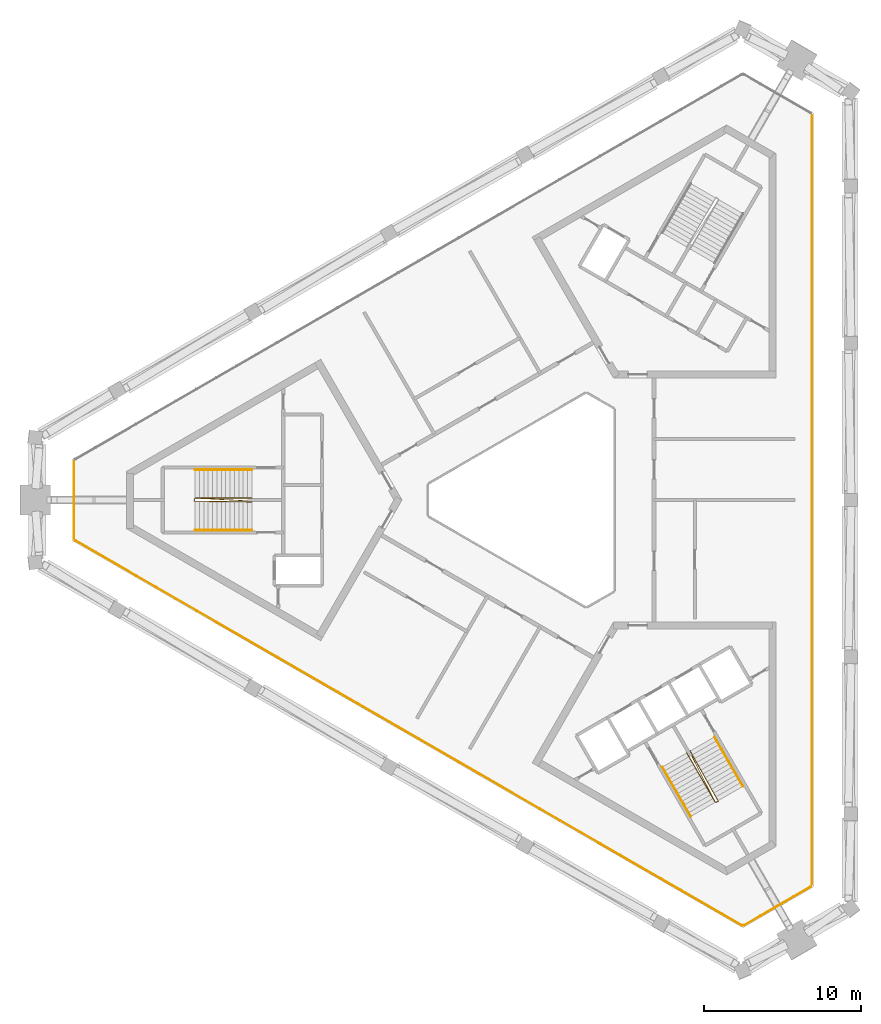
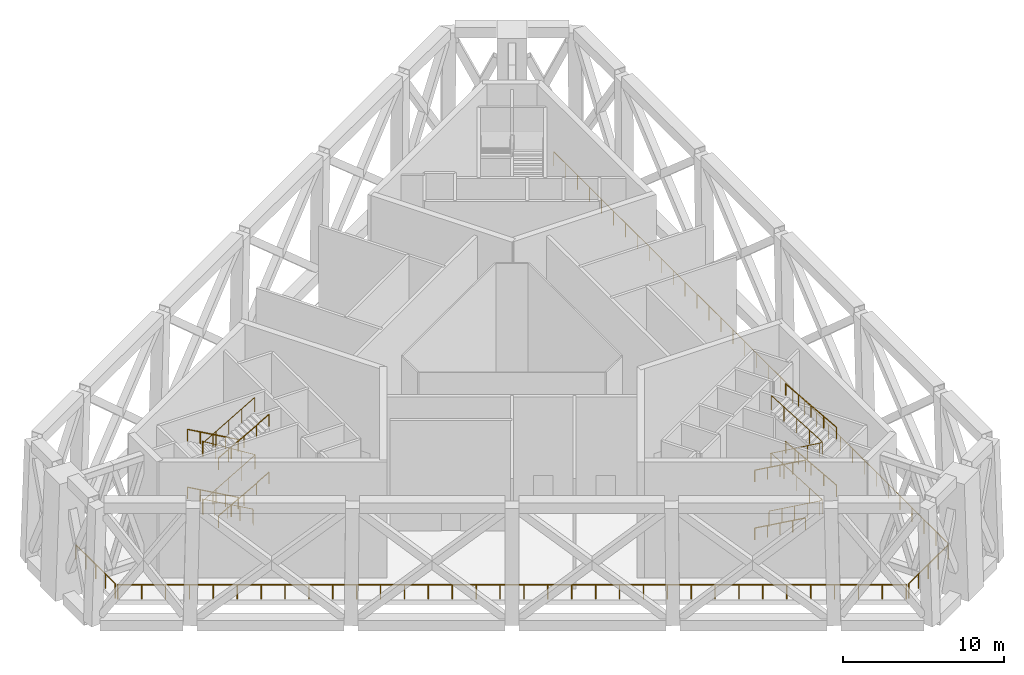
# One storey, part 7 of 8: 14 railings.
"""IFC4 building model written with IfcOpenShell, lengths in metres."""

from ifc_helpers import new_model, si_unit, direction, frame, origin, origin_2d, place, context, subcontext, project, spatial, circle, extrude, material, type_object, element, save


model = new_model("IFC4")

# Units and contexts
model_context = context("Model", 3, precision=1e-05, world=origin(), true_north=direction((0.0, 1.0)))
body_context = subcontext(model_context, "Body", "Model", "MODEL_VIEW")
ifc_project = project(units=[si_unit("LENGTHUNIT", "METRE"), si_unit("AREAUNIT", "SQUARE_METRE"), si_unit("VOLUMEUNIT", "CUBIC_METRE"), si_unit("PLANEANGLEUNIT", "RADIAN"), si_unit("MASSUNIT", "GRAM", prefix="KILO")], contexts=[model_context])

# Site, building, storey
site_placement = place(None, origin())
site = spatial("IfcSite", under=ifc_project, at=site_placement, CompositionType="ELEMENT")
building_placement = place(site_placement, origin())
building = spatial("IfcBuilding", under=site, at=building_placement, Name="Jabali Bay Hotel Tower and Convention Centre", CompositionType="ELEMENT")
storey_placement = place(building_placement, frame((0.0, 0.0, 246.5)))
storey = spatial("IfcBuildingStorey", under=building, at=storey_placement, Name="L61", CompositionType="ELEMENT", Elevation=246.5)

# Railings
ifc_material = material(Name="Steel Q355B", Category="steel")
railing_type_1 = type_object("IfcRailingType", Name="Stair guard 1100", PredefinedType="GUARDRAIL", material=ifc_material)
railing_1_placement = place(storey_placement, frame((56.469970703125, 80.074951171875, 0.0)))
element("IfcRailing", 1, at=railing_1_placement, inside=storey, type_object=railing_type_1, Name="L61 ST1 stair guard 1", PredefinedType="GUARDRAIL", context=body_context, shape_type="SweptSolid", body=[
    extrude(circle(Radius=0.02392578125, at=origin_2d()), frame((0.0, 0.0, 1.076171875), z_axis=(-0.290266377826, 0.290266377826, 0.911861206439), x_axis=(-0.707106781187, -0.707106781187, 0.0)), (0.0, 0.0, 1.0), 0.17236328125),
    extrude(circle(Radius=0.02392578125, at=origin_2d()), frame((-0.050048828125, 0.050048828125, 1.2333984375), z_axis=(-0.872057804188, 0.0, 0.489402887359), x_axis=(0.0, -1.0, 0.0)), (0.0, 0.0, 1.0), 4.173828125),
    extrude(circle(Radius=0.02392578125, at=origin_2d()), frame((-3.68994140625, 0.050048828125, 3.27587890625), z_axis=(-0.242814311512, -0.970072785993, 0.0), x_axis=(0.970072785993, -0.242814311512, 0.0)), (0.0, 0.0, 1.0), 0.2060546875),
    extrude(circle(Radius=0.02392578125, at=origin_2d()), frame((-3.739990234375, -0.14990234375, 3.27587890625), z_axis=(0.858870423873, -0.011649360652, 0.512060433341), x_axis=(0.013562335953, 0.999908027292, 0.0)), (0.0, 0.0, 1.0), 4.29638671875),
    extrude(circle(Radius=0.02392578125, at=origin_2d()), frame((-0.050048828125, -0.199951171875, 5.47607421875), z_axis=(0.707106781187, 0.707106781187, 0.0), x_axis=(-0.707106781187, 0.707106781187, 0.0)), (0.0, 0.0, 1.0), 0.07080078125),
    extrude(circle(Radius=0.02392578125, at=origin_2d()), frame((0.0, -0.14990234375, 5.47607421875), z_axis=(-0.857974941652, 0.046492091916, 0.511583311775), x_axis=(-0.054108786762, -0.998535046553, 0.0)), (0.0, 0.0, 1.0), 4.30078125),
    extrude(circle(Radius=0.02392578125, at=origin_2d()), frame((-3.68994140625, 0.050048828125, 7.67626953125), z_axis=(-0.242814311512, -0.970072785993, 0.0), x_axis=(0.970072785993, -0.242814311512, 0.0)), (0.0, 0.0, 1.0), 0.2060546875),
    extrude(circle(Radius=0.02392578125, at=origin_2d()), frame((-3.739990234375, -0.14990234375, 7.67626953125), z_axis=(0.858870423873, -0.011649360652, 0.512060433341), x_axis=(0.013562335953, 0.999908027292, 0.0)), (0.0, 0.0, 1.0), 4.29638671875),
    extrude(circle(Radius=0.02099609375, at=origin_2d()), origin(), (0.0, 0.0, 1.0), 1.052001953125),
    extrude(circle(Radius=0.02099609375, at=origin_2d()), frame((-0.050048828125, 0.050048828125, 0.1572265625)), (0.0, 0.0, 1.0), 1.052001953125),
    extrude(circle(Radius=0.02099609375, at=origin_2d()), frame((-0.9599609375, 0.050048828125, 0.66796875)), (0.0, 0.0, 1.0), 1.052001953125),
    extrude(circle(Radius=0.02099609375, at=origin_2d()), frame((-1.8701171875, 0.050048828125, 1.1787109375)), (0.0, 0.0, 1.0), 1.052001953125),
    extrude(circle(Radius=0.02099609375, at=origin_2d()), frame((-2.780029296875, 0.050048828125, 1.689208984375)), (0.0, 0.0, 1.0), 1.052001953125),
    extrude(circle(Radius=0.02099609375, at=origin_2d()), frame((-3.68994140625, 0.050048828125, 2.199951171875)), (0.0, 0.0, 1.0), 1.052001953125),
    extrude(circle(Radius=0.02099609375, at=origin_2d()), frame((-3.739990234375, -0.14990234375, 2.199951171875)), (0.0, 0.0, 1.0), 1.052001953125),
    extrude(circle(Radius=0.02099609375, at=origin_2d()), frame((-2.8173828125, -0.162353515625, 2.75)), (0.0, 0.0, 1.0), 1.052001953125),
    extrude(circle(Radius=0.02099609375, at=origin_2d()), frame((-1.89501953125, -0.1748046875, 3.2998046875)), (0.0, 0.0, 1.0), 1.052001953125),
    extrude(circle(Radius=0.02099609375, at=origin_2d()), frame((-0.97265625, -0.1875, 3.849853515625)), (0.0, 0.0, 1.0), 1.052001953125),
    extrude(circle(Radius=0.02099609375, at=origin_2d()), frame((-0.050048828125, -0.199951171875, 4.39990234375)), (0.0, 0.0, 1.0), 1.052001953125),
    extrude(circle(Radius=0.02099609375, at=origin_2d()), frame((0.0, -0.14990234375, 4.39990234375)), (0.0, 0.0, 1.0), 1.052001953125),
    extrude(circle(Radius=0.02099609375, at=origin_2d()), frame((-0.92236328125, -0.099853515625, 4.949951171875)), (0.0, 0.0, 1.0), 1.052001953125),
    extrude(circle(Radius=0.02099609375, at=origin_2d()), frame((-1.844970703125, -0.0498046875, 5.5)), (0.0, 0.0, 1.0), 1.052001953125),
    extrude(circle(Radius=0.02099609375, at=origin_2d()), frame((-2.767578125, 0.0, 6.050048828125)), (0.0, 0.0, 1.0), 1.052001953125),
    extrude(circle(Radius=0.02099609375, at=origin_2d()), frame((-3.68994140625, 0.050048828125, 6.60009765625)), (0.0, 0.0, 1.0), 1.052001953125),
    extrude(circle(Radius=0.02099609375, at=origin_2d()), frame((-3.739990234375, -0.14990234375, 6.60009765625)), (0.0, 0.0, 1.0), 1.052001953125),
    extrude(circle(Radius=0.02099609375, at=origin_2d()), frame((-2.8173828125, -0.162353515625, 7.150146484375)), (0.0, 0.0, 1.0), 1.052001953125),
    extrude(circle(Radius=0.02099609375, at=origin_2d()), frame((-1.89501953125, -0.1748046875, 7.7001953125)), (0.0, 0.0, 1.0), 1.052001953125),
    extrude(circle(Radius=0.02099609375, at=origin_2d()), frame((-0.97265625, -0.1875, 8.25)), (0.0, 0.0, 1.0), 1.052001953125),
    extrude(circle(Radius=0.02099609375, at=origin_2d()), frame((-0.050048828125, -0.199951171875, 8.800048828125)), (0.0, 0.0, 1.0), 1.052001953125),
])
railing_2_placement = place(storey_placement, frame((84.199951171875, 63.9150390625, 0.0)))
element("IfcRailing", 2, at=railing_2_placement, inside=storey, type_object=railing_type_1, Name="L61 ST3 stair guard 1", PredefinedType="GUARDRAIL", context=body_context, shape_type="SweptSolid", body=[
    extrude(circle(Radius=0.02392578125, at=origin_2d()), frame((0.0, 0.0, 1.076171875), z_axis=(-0.106197677715, -0.396471330136, 0.911884059312), x_axis=(0.965948051503, -0.258736085224, 0.0)), (0.0, 0.0, 1.0), 0.17236328125),
    extrude(circle(Radius=0.02392578125, at=origin_2d()), frame((-0.018310546875, -0.068359375, 1.2333984375), z_axis=(0.436044357701, -0.755225318126, 0.48938740991), x_axis=(0.866018046521, 0.500012742938, 0.0)), (0.0, 0.0, 1.0), 4.174072265625),
    extrude(circle(Radius=0.02392578125, at=origin_2d()), frame((1.8017578125, -3.220703125, 3.27587890625), z_axis=(0.96121063429, 0.275815366736, 0.0), x_axis=(-0.275815366736, 0.96121063429, 0.0)), (0.0, 0.0, 1.0), 0.206298828125),
    extrude(circle(Radius=0.02392578125, at=origin_2d()), frame((2.0, -3.163818359375, 3.27587890625), z_axis=(-0.419382495405, 0.749603590364, 0.512067163428), x_axis=(-0.872702246529, -0.488252792008, 0.0)), (0.0, 0.0, 1.0), 4.296142578125),
    extrude(circle(Radius=0.02392578125, at=origin_2d()), frame((0.1982421875, 0.056640625, 5.47607421875), z_axis=(-0.965948051503, 0.258736085224, 0.0), x_axis=(-0.258736085224, -0.965948051503, 0.0)), (0.0, 0.0, 1.0), 0.07080078125),
    extrude(circle(Radius=0.02392578125, at=origin_2d()), frame((0.1298828125, 0.074951171875, 5.47607421875), z_axis=(0.388730751416, -0.766278681857, 0.511571485362), x_axis=(0.891809086538, 0.452411928632, 0.0)), (0.0, 0.0, 1.0), 4.30078125),
    extrude(circle(Radius=0.02392578125, at=origin_2d()), frame((1.8017578125, -3.220703125, 7.67626953125), z_axis=(0.96121063429, 0.275815366736, 0.0), x_axis=(-0.275815366736, 0.96121063429, 0.0)), (0.0, 0.0, 1.0), 0.206298828125),
    extrude(circle(Radius=0.02392578125, at=origin_2d()), frame((2.0, -3.163818359375, 7.67626953125), z_axis=(-0.419382495405, 0.749603590364, 0.512067163428), x_axis=(-0.872702246529, -0.488252792008, 0.0)), (0.0, 0.0, 1.0), 4.296142578125),
    extrude(circle(Radius=0.02099609375, at=origin_2d()), origin(), (0.0, 0.0, 1.0), 1.052001953125),
    extrude(circle(Radius=0.02099609375, at=origin_2d()), frame((-0.018310546875, -0.068359375, 0.1572265625)), (0.0, 0.0, 1.0), 1.052001953125),
    extrude(circle(Radius=0.02099609375, at=origin_2d()), frame((0.436767578125, -0.8564453125, 0.66796875)), (0.0, 0.0, 1.0), 1.052001953125),
    extrude(circle(Radius=0.02099609375, at=origin_2d()), frame((0.8916015625, -1.64453125, 1.1787109375)), (0.0, 0.0, 1.0), 1.052001953125),
    extrude(circle(Radius=0.02099609375, at=origin_2d()), frame((1.3466796875, -2.4326171875, 1.689208984375)), (0.0, 0.0, 1.0), 1.052001953125),
    extrude(circle(Radius=0.02099609375, at=origin_2d()), frame((1.8017578125, -3.220703125, 2.199951171875)), (0.0, 0.0, 1.0), 1.052001953125),
    extrude(circle(Radius=0.02099609375, at=origin_2d()), frame((2.0, -3.163818359375, 2.199951171875)), (0.0, 0.0, 1.0), 1.052001953125),
    extrude(circle(Radius=0.02099609375, at=origin_2d()), frame((1.549560546875, -2.358642578125, 2.75)), (0.0, 0.0, 1.0), 1.052001953125),
    extrude(circle(Radius=0.02099609375, at=origin_2d()), frame((1.09912109375, -1.5537109375, 3.2998046875)), (0.0, 0.0, 1.0), 1.052001953125),
    extrude(circle(Radius=0.02099609375, at=origin_2d()), frame((0.648681640625, -0.74853515625, 3.849853515625)), (0.0, 0.0, 1.0), 1.052001953125),
    extrude(circle(Radius=0.02099609375, at=origin_2d()), frame((0.1982421875, 0.056640625, 4.39990234375)), (0.0, 0.0, 1.0), 1.052001953125),
    extrude(circle(Radius=0.02099609375, at=origin_2d()), frame((0.1298828125, 0.074951171875, 4.39990234375)), (0.0, 0.0, 1.0), 1.052001953125),
    extrude(circle(Radius=0.02099609375, at=origin_2d()), frame((0.5478515625, -0.7490234375, 4.949951171875)), (0.0, 0.0, 1.0), 1.052001953125),
    extrude(circle(Radius=0.02099609375, at=origin_2d()), frame((0.9658203125, -1.57275390625, 5.5)), (0.0, 0.0, 1.0), 1.052001953125),
    extrude(circle(Radius=0.02099609375, at=origin_2d()), frame((1.3837890625, -2.396728515625, 6.050048828125)), (0.0, 0.0, 1.0), 1.052001953125),
    extrude(circle(Radius=0.02099609375, at=origin_2d()), frame((1.8017578125, -3.220703125, 6.60009765625)), (0.0, 0.0, 1.0), 1.052001953125),
    extrude(circle(Radius=0.02099609375, at=origin_2d()), frame((2.0, -3.163818359375, 6.60009765625)), (0.0, 0.0, 1.0), 1.052001953125),
    extrude(circle(Radius=0.02099609375, at=origin_2d()), frame((1.549560546875, -2.358642578125, 7.150146484375)), (0.0, 0.0, 1.0), 1.052001953125),
    extrude(circle(Radius=0.02099609375, at=origin_2d()), frame((1.09912109375, -1.5537109375, 7.7001953125)), (0.0, 0.0, 1.0), 1.052001953125),
    extrude(circle(Radius=0.02099609375, at=origin_2d()), frame((0.648681640625, -0.74853515625, 8.25)), (0.0, 0.0, 1.0), 1.052001953125),
    extrude(circle(Radius=0.02099609375, at=origin_2d()), frame((0.1982421875, 0.056640625, 8.800048828125)), (0.0, 0.0, 1.0), 1.052001953125),
])
railing_type_2 = type_object("IfcRailingType", Name="Stair handrail 900", PredefinedType="HANDRAIL", material=ifc_material)
railing_3_placement = place(storey_placement, frame((56.419921875, 81.925048828125, 0.1572265625)))
element("IfcRailing", 3, at=railing_3_placement, inside=storey, type_object=railing_type_2, Name="L61 ST1 stair handrail 1", PredefinedType="HANDRAIL", context=body_context, shape_type="SweptSolid", body=[
    extrude(circle(Radius=0.02392578125, at=origin_2d()), frame((0.0, 0.0, 0.8759765625), z_axis=(-0.872057804188, 0.0, 0.489402887359), x_axis=(0.0, -1.0, 0.0)), (0.0, 0.0, 1.0), 4.173828125),
    extrude(circle(Radius=0.02099609375, at=origin_2d()), origin(), (0.0, 0.0, 1.0), 0.851806640625),
    extrude(circle(Radius=0.02099609375, at=origin_2d()), frame((-0.909912109375, 0.0, 0.5107421875)), (0.0, 0.0, 1.0), 0.851806640625),
    extrude(circle(Radius=0.02099609375, at=origin_2d()), frame((-1.81982421875, 0.0, 1.021484375)), (0.0, 0.0, 1.0), 0.851806640625),
    extrude(circle(Radius=0.02099609375, at=origin_2d()), frame((-2.72998046875, 0.0, 1.531982421875)), (0.0, 0.0, 1.0), 0.851806640625),
    extrude(circle(Radius=0.02099609375, at=origin_2d()), frame((-3.639892578125, 0.0, 2.042724609375)), (0.0, 0.0, 1.0), 0.851806640625),
])
railing_4_placement = place(storey_placement, frame((52.780029296875, 78.074951171875, 2.357177734375)))
element("IfcRailing", 4, at=railing_4_placement, inside=storey, type_object=railing_type_2, Name="L61 ST1 stair handrail 2", PredefinedType="HANDRAIL", context=body_context, shape_type="SweptSolid", body=[
    extrude(circle(Radius=0.02392578125, at=origin_2d()), frame((0.0, 0.0, 0.8759765625), z_axis=(0.872057804188, 0.0, 0.489402887359), x_axis=(0.0, 1.0, 0.0)), (0.0, 0.0, 1.0), 4.173828125),
    extrude(circle(Radius=0.02099609375, at=origin_2d()), origin(), (0.0, 0.0, 1.0), 0.851806640625),
    extrude(circle(Radius=0.02099609375, at=origin_2d()), frame((0.909912109375, 0.0, 0.5107421875)), (0.0, 0.0, 1.0), 0.851806640625),
    extrude(circle(Radius=0.02099609375, at=origin_2d()), frame((1.81982421875, 0.0, 1.021484375)), (0.0, 0.0, 1.0), 0.851806640625),
    extrude(circle(Radius=0.02099609375, at=origin_2d()), frame((2.72998046875, 0.0, 1.531982421875)), (0.0, 0.0, 1.0), 0.851806640625),
    extrude(circle(Radius=0.02099609375, at=origin_2d()), frame((3.639892578125, 0.0, 2.042724609375)), (0.0, 0.0, 1.0), 0.851806640625),
])
railing_5_placement = place(storey_placement, frame((56.419921875, 81.925048828125, 4.55712890625)))
element("IfcRailing", 5, at=railing_5_placement, inside=storey, type_object=railing_type_2, Name="L61 ST1 stair handrail 3", PredefinedType="HANDRAIL", context=body_context, shape_type="SweptSolid", body=[
    extrude(circle(Radius=0.02392578125, at=origin_2d()), frame((0.0, 0.0, 0.8759765625), z_axis=(-0.872032840091, 0.0, 0.489447367756), x_axis=(0.0, -1.0, 0.0)), (0.0, 0.0, 1.0), 4.174072265625),
    extrude(circle(Radius=0.02099609375, at=origin_2d()), origin(), (0.0, 0.0, 1.0), 0.851806640625),
    extrude(circle(Radius=0.02099609375, at=origin_2d()), frame((-0.909912109375, 0.0, 0.5107421875)), (0.0, 0.0, 1.0), 0.851806640625),
    extrude(circle(Radius=0.02099609375, at=origin_2d()), frame((-1.81982421875, 0.0, 1.021484375)), (0.0, 0.0, 1.0), 0.851806640625),
    extrude(circle(Radius=0.02099609375, at=origin_2d()), frame((-2.72998046875, 0.0, 1.5322265625)), (0.0, 0.0, 1.0), 0.851806640625),
    extrude(circle(Radius=0.02099609375, at=origin_2d()), frame((-3.639892578125, 0.0, 2.04296875)), (0.0, 0.0, 1.0), 0.851806640625),
])
railing_6_placement = place(storey_placement, frame((52.780029296875, 78.074951171875, 6.757080078125)))
element("IfcRailing", 6, at=railing_6_placement, inside=storey, type_object=railing_type_2, Name="L61 ST1 stair handrail 4", PredefinedType="HANDRAIL", context=body_context, shape_type="SweptSolid", body=[
    extrude(circle(Radius=0.02392578125, at=origin_2d()), frame((0.0, 0.0, 0.8759765625), z_axis=(0.872032840091, 0.0, 0.489447367756), x_axis=(0.0, 1.0, 0.0)), (0.0, 0.0, 1.0), 4.174072265625),
    extrude(circle(Radius=0.02099609375, at=origin_2d()), origin(), (0.0, 0.0, 1.0), 0.851806640625),
    extrude(circle(Radius=0.02099609375, at=origin_2d()), frame((0.909912109375, 0.0, 0.5107421875)), (0.0, 0.0, 1.0), 0.851806640625),
    extrude(circle(Radius=0.02099609375, at=origin_2d()), frame((1.81982421875, 0.0, 1.021484375)), (0.0, 0.0, 1.0), 0.851806640625),
    extrude(circle(Radius=0.02099609375, at=origin_2d()), frame((2.72998046875, 0.0, 1.5322265625)), (0.0, 0.0, 1.0), 0.851806640625),
    extrude(circle(Radius=0.02099609375, at=origin_2d()), frame((3.639892578125, 0.0, 2.04296875)), (0.0, 0.0, 1.0), 0.851806640625),
])
railing_7_placement = place(storey_placement, frame((82.622802734375, 62.94677734375, 0.1572265625)))
element("IfcRailing", 7, at=railing_7_placement, inside=storey, type_object=railing_type_2, Name="L61 ST3 stair handrail 1", PredefinedType="HANDRAIL", context=body_context, shape_type="SweptSolid", body=[
    extrude(circle(Radius=0.02392578125, at=origin_2d()), frame((0.0, 0.0, 0.8759765625), z_axis=(0.436044357701, -0.755225318126, 0.48938740991), x_axis=(0.866018046521, 0.500012742938, 0.0)), (0.0, 0.0, 1.0), 4.174072265625),
    extrude(circle(Radius=0.02099609375, at=origin_2d()), origin(), (0.0, 0.0, 1.0), 0.851806640625),
    extrude(circle(Radius=0.02099609375, at=origin_2d()), frame((0.455078125, -0.7880859375, 0.5107421875)), (0.0, 0.0, 1.0), 0.851806640625),
    extrude(circle(Radius=0.02099609375, at=origin_2d()), frame((0.91015625, -1.576171875, 1.021484375)), (0.0, 0.0, 1.0), 0.851806640625),
    extrude(circle(Radius=0.02099609375, at=origin_2d()), frame((1.364990234375, -2.3642578125, 1.531982421875)), (0.0, 0.0, 1.0), 0.851806640625),
    extrude(circle(Radius=0.02099609375, at=origin_2d()), frame((1.820068359375, -3.15234375, 2.042724609375)), (0.0, 0.0, 1.0), 0.851806640625),
])
railing_8_placement = place(storey_placement, frame((87.777099609375, 61.719482421875, 2.357177734375)))
element("IfcRailing", 8, at=railing_8_placement, inside=storey, type_object=railing_type_2, Name="L61 ST3 stair handrail 2", PredefinedType="HANDRAIL", context=body_context, shape_type="SweptSolid", body=[
    extrude(circle(Radius=0.02392578125, at=origin_2d()), frame((0.0, 0.0, 0.8759765625), z_axis=(-0.436044357701, 0.755225318126, 0.48938740991), x_axis=(-0.866018046521, -0.500012742938, 0.0)), (0.0, 0.0, 1.0), 4.174072265625),
    extrude(circle(Radius=0.02099609375, at=origin_2d()), origin(), (0.0, 0.0, 1.0), 0.851806640625),
    extrude(circle(Radius=0.02099609375, at=origin_2d()), frame((-0.455078125, 0.7880859375, 0.5107421875)), (0.0, 0.0, 1.0), 0.851806640625),
    extrude(circle(Radius=0.02099609375, at=origin_2d()), frame((-0.91015625, 1.576171875, 1.021484375)), (0.0, 0.0, 1.0), 0.851806640625),
    extrude(circle(Radius=0.02099609375, at=origin_2d()), frame((-1.364990234375, 2.3642578125, 1.531982421875)), (0.0, 0.0, 1.0), 0.851806640625),
    extrude(circle(Radius=0.02099609375, at=origin_2d()), frame((-1.820068359375, 3.15234375, 2.042724609375)), (0.0, 0.0, 1.0), 0.851806640625),
])
railing_9_placement = place(storey_placement, frame((82.622802734375, 62.94677734375, 4.55712890625)))
element("IfcRailing", 9, at=railing_9_placement, inside=storey, type_object=railing_type_2, Name="L61 ST3 stair handrail 3", PredefinedType="HANDRAIL", context=body_context, shape_type="SweptSolid", body=[
    extrude(circle(Radius=0.02392578125, at=origin_2d()), frame((0.0, 0.0, 0.8759765625), z_axis=(0.436031875999, -0.75520369992, 0.489431889787), x_axis=(0.866018046521, 0.500012742938, 0.0)), (0.0, 0.0, 1.0), 4.174072265625),
    extrude(circle(Radius=0.02099609375, at=origin_2d()), origin(), (0.0, 0.0, 1.0), 0.851806640625),
    extrude(circle(Radius=0.02099609375, at=origin_2d()), frame((0.455078125, -0.7880859375, 0.5107421875)), (0.0, 0.0, 1.0), 0.851806640625),
    extrude(circle(Radius=0.02099609375, at=origin_2d()), frame((0.91015625, -1.576171875, 1.021484375)), (0.0, 0.0, 1.0), 0.851806640625),
    extrude(circle(Radius=0.02099609375, at=origin_2d()), frame((1.364990234375, -2.3642578125, 1.5322265625)), (0.0, 0.0, 1.0), 0.851806640625),
    extrude(circle(Radius=0.02099609375, at=origin_2d()), frame((1.820068359375, -3.15234375, 2.04296875)), (0.0, 0.0, 1.0), 0.851806640625),
])
railing_10_placement = place(storey_placement, frame((87.777099609375, 61.719482421875, 6.757080078125)))
element("IfcRailing", 10, at=railing_10_placement, inside=storey, type_object=railing_type_2, Name="L61 ST3 stair handrail 4", PredefinedType="HANDRAIL", context=body_context, shape_type="SweptSolid", body=[
    extrude(circle(Radius=0.02392578125, at=origin_2d()), frame((0.0, 0.0, 0.8759765625), z_axis=(-0.436031875999, 0.75520369992, 0.489431889787), x_axis=(-0.866018046521, -0.500012742938, 0.0)), (0.0, 0.0, 1.0), 4.174072265625),
    extrude(circle(Radius=0.02099609375, at=origin_2d()), origin(), (0.0, 0.0, 1.0), 0.851806640625),
    extrude(circle(Radius=0.02099609375, at=origin_2d()), frame((-0.455078125, 0.7880859375, 0.5107421875)), (0.0, 0.0, 1.0), 0.851806640625),
    extrude(circle(Radius=0.02099609375, at=origin_2d()), frame((-0.91015625, 1.576171875, 1.021484375)), (0.0, 0.0, 1.0), 0.851806640625),
    extrude(circle(Radius=0.02099609375, at=origin_2d()), frame((-1.364990234375, 2.3642578125, 1.5322265625)), (0.0, 0.0, 1.0), 0.851806640625),
    extrude(circle(Radius=0.02099609375, at=origin_2d()), frame((-1.820068359375, 3.15234375, 2.04296875)), (0.0, 0.0, 1.0), 0.851806640625),
])
railing_type_3 = type_object("IfcRailingType", Name="Wind floor guard 1100", PredefinedType="GUARDRAIL", material=ifc_material)
railing_11_placement = place(storey_placement, frame((92.17919921875, 55.441650390625, 0.0)))
element("IfcRailing", 11, at=railing_11_placement, inside=storey, type_object=railing_type_3, Name="Wind floor guard L61 run 1", PredefinedType="GUARDRAIL", context=body_context, shape_type="SweptSolid", body=[
    extrude(circle(Radius=0.02490234375, at=origin_2d()), frame((0.0, 0.0, 1.0751953125), z_axis=(0.0, 1.0, 0.0), x_axis=(-1.0, 0.0, 0.0)), (0.0, 0.0, 1.0), 49.11669921875),
    extrude(circle(Radius=0.02490234375, at=origin_2d()), origin(), (0.0, 0.0, 1.0), 1.050048828125),
    extrude(circle(Radius=0.02490234375, at=origin_2d()), frame((0.0, 1.48828125, 0.0)), (0.0, 0.0, 1.0), 1.050048828125),
    extrude(circle(Radius=0.02490234375, at=origin_2d()), frame((0.0, 2.976806640625, 0.0)), (0.0, 0.0, 1.0), 1.050048828125),
    extrude(circle(Radius=0.02490234375, at=origin_2d()), frame((0.0, 4.465087890625, 0.0)), (0.0, 0.0, 1.0), 1.050048828125),
    extrude(circle(Radius=0.02490234375, at=origin_2d()), frame((0.0, 5.95361328125, 0.0)), (0.0, 0.0, 1.0), 1.050048828125),
    extrude(circle(Radius=0.02490234375, at=origin_2d()), frame((0.0, 7.44189453125, 0.0)), (0.0, 0.0, 1.0), 1.050048828125),
    extrude(circle(Radius=0.02490234375, at=origin_2d()), frame((0.0, 8.930419921875, 0.0)), (0.0, 0.0, 1.0), 1.050048828125),
    extrude(circle(Radius=0.02490234375, at=origin_2d()), frame((0.0, 10.418701171875, 0.0)), (0.0, 0.0, 1.0), 1.050048828125),
    extrude(circle(Radius=0.02490234375, at=origin_2d()), frame((0.0, 11.906982421875, 0.0)), (0.0, 0.0, 1.0), 1.050048828125),
    extrude(circle(Radius=0.02490234375, at=origin_2d()), frame((0.0, 13.3955078125, 0.0)), (0.0, 0.0, 1.0), 1.050048828125),
    extrude(circle(Radius=0.02490234375, at=origin_2d()), frame((0.0, 14.8837890625, 0.0)), (0.0, 0.0, 1.0), 1.050048828125),
    extrude(circle(Radius=0.02490234375, at=origin_2d()), frame((0.0, 16.372314453125, 0.0)), (0.0, 0.0, 1.0), 1.050048828125),
    extrude(circle(Radius=0.02490234375, at=origin_2d()), frame((0.0, 17.860595703125, 0.0)), (0.0, 0.0, 1.0), 1.050048828125),
    extrude(circle(Radius=0.02490234375, at=origin_2d()), frame((0.0, 19.34912109375, 0.0)), (0.0, 0.0, 1.0), 1.050048828125),
    extrude(circle(Radius=0.02490234375, at=origin_2d()), frame((0.0, 20.83740234375, 0.0)), (0.0, 0.0, 1.0), 1.050048828125),
    extrude(circle(Radius=0.02490234375, at=origin_2d()), frame((0.0, 22.32568359375, 0.0)), (0.0, 0.0, 1.0), 1.050048828125),
    extrude(circle(Radius=0.02490234375, at=origin_2d()), frame((0.0, 23.814208984375, 0.0)), (0.0, 0.0, 1.0), 1.050048828125),
    extrude(circle(Radius=0.02490234375, at=origin_2d()), frame((0.0, 25.302490234375, 0.0)), (0.0, 0.0, 1.0), 1.050048828125),
    extrude(circle(Radius=0.02490234375, at=origin_2d()), frame((0.0, 26.791015625, 0.0)), (0.0, 0.0, 1.0), 1.050048828125),
    extrude(circle(Radius=0.02490234375, at=origin_2d()), frame((0.0, 28.279296875, 0.0)), (0.0, 0.0, 1.0), 1.050048828125),
    extrude(circle(Radius=0.02490234375, at=origin_2d()), frame((0.0, 29.767578125, 0.0)), (0.0, 0.0, 1.0), 1.050048828125),
    extrude(circle(Radius=0.02490234375, at=origin_2d()), frame((0.0, 31.256103515625, 0.0)), (0.0, 0.0, 1.0), 1.050048828125),
    extrude(circle(Radius=0.02490234375, at=origin_2d()), frame((0.0, 32.744384765625, 0.0)), (0.0, 0.0, 1.0), 1.050048828125),
    extrude(circle(Radius=0.02490234375, at=origin_2d()), frame((0.0, 34.23291015625, 0.0)), (0.0, 0.0, 1.0), 1.050048828125),
    extrude(circle(Radius=0.02490234375, at=origin_2d()), frame((0.0, 35.72119140625, 0.0)), (0.0, 0.0, 1.0), 1.050048828125),
    extrude(circle(Radius=0.02490234375, at=origin_2d()), frame((0.0, 37.209716796875, 0.0)), (0.0, 0.0, 1.0), 1.050048828125),
    extrude(circle(Radius=0.02490234375, at=origin_2d()), frame((0.0, 38.697998046875, 0.0)), (0.0, 0.0, 1.0), 1.050048828125),
    extrude(circle(Radius=0.02490234375, at=origin_2d()), frame((0.0, 40.186279296875, 0.0)), (0.0, 0.0, 1.0), 1.050048828125),
    extrude(circle(Radius=0.02490234375, at=origin_2d()), frame((0.0, 41.6748046875, 0.0)), (0.0, 0.0, 1.0), 1.050048828125),
    extrude(circle(Radius=0.02490234375, at=origin_2d()), frame((0.0, 43.1630859375, 0.0)), (0.0, 0.0, 1.0), 1.050048828125),
    extrude(circle(Radius=0.02490234375, at=origin_2d()), frame((0.0, 44.651611328125, 0.0)), (0.0, 0.0, 1.0), 1.050048828125),
    extrude(circle(Radius=0.02490234375, at=origin_2d()), frame((0.0, 46.139892578125, 0.0)), (0.0, 0.0, 1.0), 1.050048828125),
    extrude(circle(Radius=0.02490234375, at=origin_2d()), frame((0.0, 47.62841796875, 0.0)), (0.0, 0.0, 1.0), 1.050048828125),
    extrude(circle(Radius=0.02490234375, at=origin_2d()), frame((0.0, 49.11669921875, 0.0)), (0.0, 0.0, 1.0), 1.050048828125),
])
railing_12_placement = place(storey_placement, frame((45.0556640625, 82.448486328125, 0.0)))
element("IfcRailing", 12, at=railing_12_placement, inside=storey, type_object=railing_type_3, Name="Wind floor guard L61 run 4", PredefinedType="GUARDRAIL", context=body_context, shape_type="SweptSolid", body=[
    extrude(circle(Radius=0.02490234375, at=origin_2d()), frame((0.0, 0.0, 1.0751953125), z_axis=(0.0, -1.0, 0.0), x_axis=(1.0, 0.0, 0.0)), (0.0, 0.0, 1.0), 4.89697265625),
    extrude(circle(Radius=0.02490234375, at=origin_2d()), origin(), (0.0, 0.0, 1.0), 1.050048828125),
    extrude(circle(Radius=0.02490234375, at=origin_2d()), frame((0.0, -1.22412109375, 0.0)), (0.0, 0.0, 1.0), 1.050048828125),
    extrude(circle(Radius=0.02490234375, at=origin_2d()), frame((0.0, -2.448486328125, 0.0)), (0.0, 0.0, 1.0), 1.050048828125),
    extrude(circle(Radius=0.02490234375, at=origin_2d()), frame((0.0, -3.6728515625, 0.0)), (0.0, 0.0, 1.0), 1.050048828125),
    extrude(circle(Radius=0.02490234375, at=origin_2d()), frame((0.0, -4.89697265625, 0.0)), (0.0, 0.0, 1.0), 1.050048828125),
])
railing_13_placement = place(storey_placement, frame((45.142333984375, 77.401611328125, 0.0)))
element("IfcRailing", 13, at=railing_13_placement, inside=storey, type_object=railing_type_3, Name="Wind floor guard L61 run 5", PredefinedType="GUARDRAIL", context=body_context, shape_type="SweptSolid", body=[
    extrude(circle(Radius=0.02490234375, at=origin_2d()), frame((0.0, 0.0, 1.0751953125), z_axis=(0.866024505608, -0.500001555684, 0.0), x_axis=(0.500001555684, 0.866024505608, 0.0)), (0.0, 0.0, 1.0), 49.116455078125),
    extrude(circle(Radius=0.02490234375, at=origin_2d()), origin(), (0.0, 0.0, 1.0), 1.050048828125),
    extrude(circle(Radius=0.02490234375, at=origin_2d()), frame((1.2890625, -0.744140625, 0.0)), (0.0, 0.0, 1.0), 1.050048828125),
    extrude(circle(Radius=0.02490234375, at=origin_2d()), frame((2.577880859375, -1.48828125, 0.0)), (0.0, 0.0, 1.0), 1.050048828125),
    extrude(circle(Radius=0.02490234375, at=origin_2d()), frame((3.866943359375, -2.232666015625, 0.0)), (0.0, 0.0, 1.0), 1.050048828125),
    extrude(circle(Radius=0.02490234375, at=origin_2d()), frame((5.156005859375, -2.976806640625, 0.0)), (0.0, 0.0, 1.0), 1.050048828125),
    extrude(circle(Radius=0.02490234375, at=origin_2d()), frame((6.44482421875, -3.720947265625, 0.0)), (0.0, 0.0, 1.0), 1.050048828125),
    extrude(circle(Radius=0.02490234375, at=origin_2d()), frame((7.73388671875, -4.465087890625, 0.0)), (0.0, 0.0, 1.0), 1.050048828125),
    extrude(circle(Radius=0.02490234375, at=origin_2d()), frame((9.022705078125, -5.209228515625, 0.0)), (0.0, 0.0, 1.0), 1.050048828125),
    extrude(circle(Radius=0.02490234375, at=origin_2d()), frame((10.311767578125, -5.95361328125, 0.0)), (0.0, 0.0, 1.0), 1.050048828125),
    extrude(circle(Radius=0.02490234375, at=origin_2d()), frame((11.600830078125, -6.69775390625, 0.0)), (0.0, 0.0, 1.0), 1.050048828125),
    extrude(circle(Radius=0.02490234375, at=origin_2d()), frame((12.8896484375, -7.44189453125, 0.0)), (0.0, 0.0, 1.0), 1.050048828125),
    extrude(circle(Radius=0.02490234375, at=origin_2d()), frame((14.1787109375, -8.18603515625, 0.0)), (0.0, 0.0, 1.0), 1.050048828125),
    extrude(circle(Radius=0.02490234375, at=origin_2d()), frame((15.4677734375, -8.930419921875, 0.0)), (0.0, 0.0, 1.0), 1.050048828125),
    extrude(circle(Radius=0.02490234375, at=origin_2d()), frame((16.756591796875, -9.674560546875, 0.0)), (0.0, 0.0, 1.0), 1.050048828125),
    extrude(circle(Radius=0.02490234375, at=origin_2d()), frame((18.045654296875, -10.418701171875, 0.0)), (0.0, 0.0, 1.0), 1.050048828125),
    extrude(circle(Radius=0.02490234375, at=origin_2d()), frame((19.334716796875, -11.162841796875, 0.0)), (0.0, 0.0, 1.0), 1.050048828125),
    extrude(circle(Radius=0.02490234375, at=origin_2d()), frame((20.62353515625, -11.906982421875, 0.0)), (0.0, 0.0, 1.0), 1.050048828125),
    extrude(circle(Radius=0.02490234375, at=origin_2d()), frame((21.91259765625, -12.6513671875, 0.0)), (0.0, 0.0, 1.0), 1.050048828125),
    extrude(circle(Radius=0.02490234375, at=origin_2d()), frame((23.201416015625, -13.3955078125, 0.0)), (0.0, 0.0, 1.0), 1.050048828125),
    extrude(circle(Radius=0.02490234375, at=origin_2d()), frame((24.490478515625, -14.1396484375, 0.0)), (0.0, 0.0, 1.0), 1.050048828125),
    extrude(circle(Radius=0.02490234375, at=origin_2d()), frame((25.779541015625, -14.8837890625, 0.0)), (0.0, 0.0, 1.0), 1.050048828125),
    extrude(circle(Radius=0.02490234375, at=origin_2d()), frame((27.068359375, -15.6279296875, 0.0)), (0.0, 0.0, 1.0), 1.050048828125),
    extrude(circle(Radius=0.02490234375, at=origin_2d()), frame((28.357421875, -16.372314453125, 0.0)), (0.0, 0.0, 1.0), 1.050048828125),
    extrude(circle(Radius=0.02490234375, at=origin_2d()), frame((29.646484375, -17.116455078125, 0.0)), (0.0, 0.0, 1.0), 1.050048828125),
    extrude(circle(Radius=0.02490234375, at=origin_2d()), frame((30.935302734375, -17.860595703125, 0.0)), (0.0, 0.0, 1.0), 1.050048828125),
    extrude(circle(Radius=0.02490234375, at=origin_2d()), frame((32.224365234375, -18.604736328125, 0.0)), (0.0, 0.0, 1.0), 1.050048828125),
    extrude(circle(Radius=0.02490234375, at=origin_2d()), frame((33.513427734375, -19.34912109375, 0.0)), (0.0, 0.0, 1.0), 1.050048828125),
    extrude(circle(Radius=0.02490234375, at=origin_2d()), frame((34.80224609375, -20.09326171875, 0.0)), (0.0, 0.0, 1.0), 1.050048828125),
    extrude(circle(Radius=0.02490234375, at=origin_2d()), frame((36.09130859375, -20.83740234375, 0.0)), (0.0, 0.0, 1.0), 1.050048828125),
    extrude(circle(Radius=0.02490234375, at=origin_2d()), frame((37.380126953125, -21.58154296875, 0.0)), (0.0, 0.0, 1.0), 1.050048828125),
    extrude(circle(Radius=0.02490234375, at=origin_2d()), frame((38.669189453125, -22.32568359375, 0.0)), (0.0, 0.0, 1.0), 1.050048828125),
    extrude(circle(Radius=0.02490234375, at=origin_2d()), frame((39.958251953125, -23.070068359375, 0.0)), (0.0, 0.0, 1.0), 1.050048828125),
    extrude(circle(Radius=0.02490234375, at=origin_2d()), frame((41.2470703125, -23.814208984375, 0.0)), (0.0, 0.0, 1.0), 1.050048828125),
    extrude(circle(Radius=0.02490234375, at=origin_2d()), frame((42.5361328125, -24.558349609375, 0.0)), (0.0, 0.0, 1.0), 1.050048828125),
])
railing_14_placement = place(storey_placement, frame((87.851806640625, 52.84326171875, 0.0)))
element("IfcRailing", 14, at=railing_14_placement, inside=storey, type_object=railing_type_3, Name="Wind floor guard L61 run 6", PredefinedType="GUARDRAIL", context=body_context, shape_type="SweptSolid", body=[
    extrude(circle(Radius=0.02490234375, at=origin_2d()), frame((0.0, 0.0, 1.0751953125), z_axis=(0.86601621064, 0.500015922655, 0.0), x_axis=(-0.500015922655, 0.86601621064, 0.0)), (0.0, 0.0, 1.0), 4.896728515625),
    extrude(circle(Radius=0.02490234375, at=origin_2d()), origin(), (0.0, 0.0, 1.0), 1.050048828125),
    extrude(circle(Radius=0.02490234375, at=origin_2d()), frame((1.06005859375, 0.612060546875, 0.0)), (0.0, 0.0, 1.0), 1.050048828125),
    extrude(circle(Radius=0.02490234375, at=origin_2d()), frame((2.120361328125, 1.22412109375, 0.0)), (0.0, 0.0, 1.0), 1.050048828125),
    extrude(circle(Radius=0.02490234375, at=origin_2d()), frame((3.1806640625, 1.83642578125, 0.0)), (0.0, 0.0, 1.0), 1.050048828125),
    extrude(circle(Radius=0.02490234375, at=origin_2d()), frame((4.24072265625, 2.448486328125, 0.0)), (0.0, 0.0, 1.0), 1.050048828125),
])

save(model, "model.ifc")
